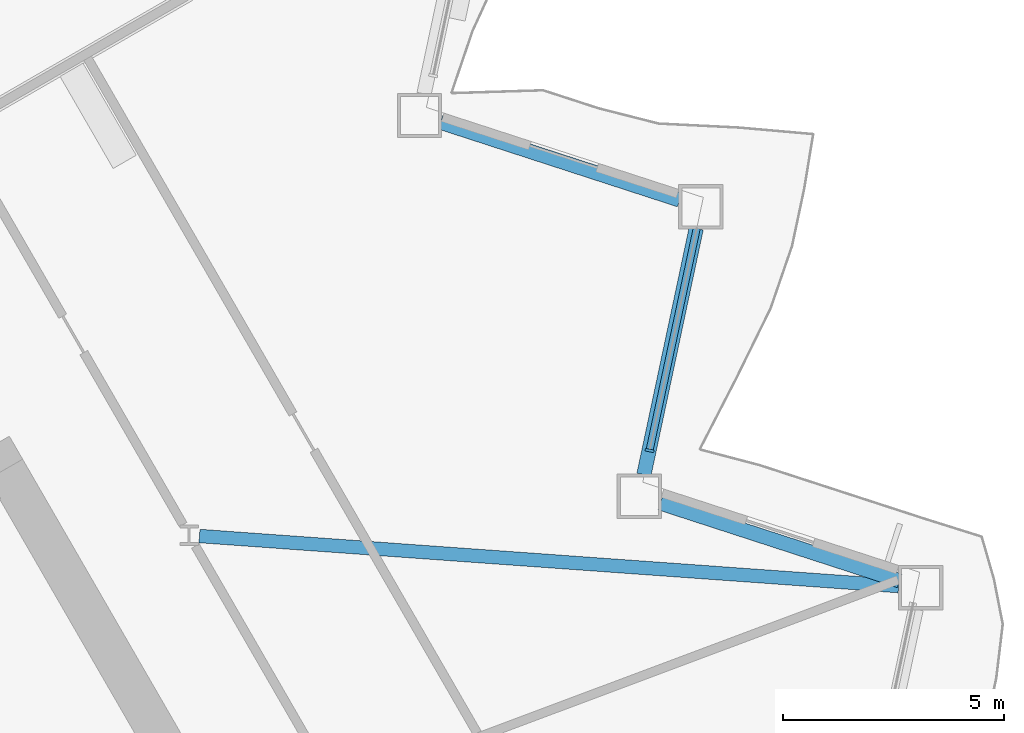
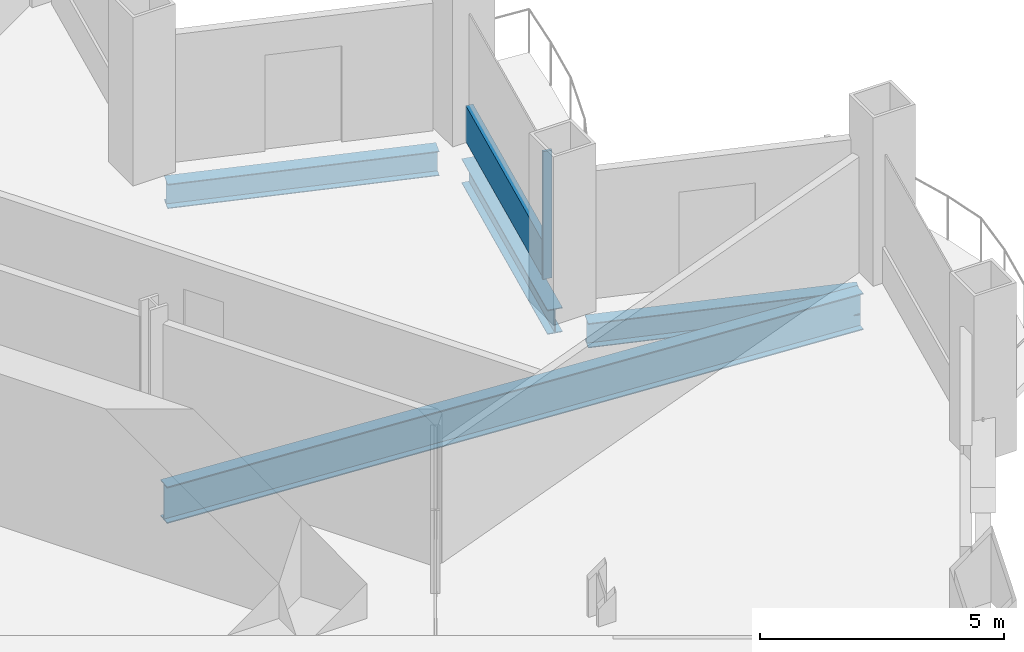
# One storey, part 5 of 20: 4 beams, 2 members, 1 element without a shape of its own.
"""IFC4 building model written with IfcOpenShell, lengths in metres."""

from ifc_helpers import new_model, si_unit, direction, frame, origin, origin_2d, place, context, subcontext, project, spatial, rectangle, i_section, extrude, material, layer, layer_set, material_profile, profile_set, type_object, element, aggregate, save


model = new_model("IFC4")

# Units and contexts
model_context = context("Model", 3, precision=1e-05, world=origin(), true_north=direction((0.0, 1.0)))
body_context = subcontext(model_context, "Body", "Model", "MODEL_VIEW")
ifc_project = project(units=[si_unit("LENGTHUNIT", "METRE"), si_unit("AREAUNIT", "SQUARE_METRE"), si_unit("VOLUMEUNIT", "CUBIC_METRE"), si_unit("PLANEANGLEUNIT", "RADIAN"), si_unit("MASSUNIT", "GRAM", prefix="KILO")], contexts=[model_context])

# Site, building, storey
site_placement = place(None, origin())
site = spatial("IfcSite", under=ifc_project, at=site_placement, CompositionType="ELEMENT")
building_placement = place(site_placement, origin())
building = spatial("IfcBuilding", under=site, at=building_placement, Name="Cormorant Prow Tower", CompositionType="ELEMENT")
storey_placement = place(building_placement, frame((0.0, 0.0, 59.39990234375)))
storey = spatial("IfcBuildingStorey", under=building, at=storey_placement, Name="L12", CompositionType="ELEMENT", Elevation=59.39990234375)

# Curtain wall, members
ifc_material_1 = material(Name="Aluminium 6063-T6", Category="aluminium")
ifc_layer = layer(ifc_material_1, 0.199951171875)
ifc_layer_set = layer_set([ifc_layer], Name="Aluminium 6063-T6")
curtain_wall_type = type_object("IfcCurtainWallType", Name="Office unitised curtain wall 200", PredefinedType="NOTDEFINED", material=ifc_layer_set)
curtain_wall_placement = place(storey_placement, origin())
curtain_wall = element("IfcCurtainWall", 1, at=curtain_wall_placement, inside=storey, type_object=curtain_wall_type, Name="Office curtain wall ENE02", PredefinedType="NOTDEFINED")
ifc_material_2 = material(Name="Aluminium 6063-T6", Category="aluminium")
ifc_material_profile_1 = material_profile(ifc_material_2, rectangle(XDim=0.199951171875, YDim=0.06005859375, at=origin_2d()), Name="Office mullion 60x200")
ifc_profile_set_1 = profile_set([ifc_material_profile_1], Name="Aluminium 6063-T6")
member_type_1 = type_object("IfcMemberType", Name="Office mullion 60x200", PredefinedType="MULLION", material=ifc_profile_set_1)
member_1_placement = place(storey_placement, frame((26.2646484375, -1.138916015625, 0.0), z_axis=(0.0, 0.0, 1.0), x_axis=(-0.978147613794, 0.207911629376, 0.0)))
member_1 = element("IfcMember", 2, at=member_1_placement, type_object=member_type_1, Name="Office mullion ENE02", PredefinedType="MULLION", context=body_context, shape_type="SweptSolid", body=[
    extrude(rectangle(XDim=0.199951171875, YDim=0.06005859375, at=origin_2d()), origin(), (0.0, 0.0, 1.0), 3.18896484375),
])
ifc_material_3 = material(Name="Terracotta", Category="masonry")
ifc_material_profile_2 = material_profile(ifc_material_3, rectangle(XDim=0.159912109375, YDim=0.89990234375, at=origin_2d()), Name="Office terracotta spandrel rail 160x900")
ifc_profile_set_2 = profile_set([ifc_material_profile_2], Name="Terracotta")
member_type_2 = type_object("IfcMemberType", Name="Office terracotta spandrel rail 160x900", PredefinedType="USERDEFINED", material=ifc_profile_set_2)
member_2_placement = place(storey_placement, frame((26.270751953125, -1.109619140625, 0.4501953125), z_axis=(0.207923880601, 0.978145009636, 0.0), x_axis=(-0.978145009636, 0.207923880601, 0.0)))
member_2 = element("IfcMember", 3, at=member_2_placement, type_object=member_type_2, Name="Office spandrel rail ENE02", ObjectType="TRANSOM", PredefinedType="USERDEFINED", context=body_context, shape_type="SweptSolid", body=[
    extrude(rectangle(XDim=0.159912109375, YDim=0.89990234375, at=origin_2d()), origin(), (0.0, 0.0, 1.0), 5.111328125),
])
aggregate(curtain_wall, [member_1, member_2])

# Beams
ifc_material_4 = material(Name="Structural steel ASTM A992 Gr 50", Category="steel")
ifc_material_profile_3 = material_profile(ifc_material_4, i_section(OverallWidth=0.3046875, OverallDepth=0.914794921875, WebThickness=0.0166015625, FlangeThickness=0.02587890625, at=origin_2d()), Name="W36x160")
ifc_profile_set_3 = profile_set([ifc_material_profile_3], Name="Structural steel ASTM A992 Gr 50")
beam_type_1 = type_object("IfcBeamType", Name="Radial floor beam W36x160", PredefinedType="BEAM", material=ifc_profile_set_3)
beam_1_placement = place(storey_placement, frame((16.099365234375, -3.0703125, -0.857177734375), z_axis=(0.997443412532, -0.071460750045, 0.0), x_axis=(0.071460750045, 0.997443412532, 0.0)))
element("IfcBeam", 4, at=beam_1_placement, inside=storey, type_object=beam_type_1, Name="Radial floor beam FB1 10 L12", PredefinedType="BEAM", context=body_context, shape_type="SweptSolid", body=[
    extrude(i_section(OverallWidth=0.3046875, OverallDepth=0.914794921875, WebThickness=0.0166015625, FlangeThickness=0.02587890625, at=origin_2d()), origin(), (0.0, 0.0, 1.0), 15.831787109375),
])
ifc_material_5 = material(Name="Structural steel ASTM A992 Gr 50", Category="steel")
ifc_material_profile_4 = material_profile(ifc_material_5, i_section(OverallWidth=0.32373046875, OverallDepth=0.611083984375, WebThickness=0.0126953125, FlangeThickness=0.01904296875, at=origin_2d()), Name="W24x104")
ifc_profile_set_4 = profile_set([ifc_material_profile_4], Name="Structural steel ASTM A992 Gr 50")
beam_type_2 = type_object("IfcBeamType", Name="Spandrel beam W24x104", PredefinedType="SPANDREL", material=ifc_profile_set_4)
beam_2_placement = place(storey_placement, frame((31.913818359375, -4.082763671875, -0.70556640625), z_axis=(-0.951049222751, 0.309039440696, 0.0), x_axis=(-0.309039440696, -0.951049222751, 0.0)))
element("IfcBeam", 5, at=beam_2_placement, inside=storey, type_object=beam_type_2, Name="Spandrel beam SB1 ENE01-ENE02 L12", PredefinedType="SPANDREL", context=body_context, shape_type="SweptSolid", body=[
    extrude(i_section(OverallWidth=0.32373046875, OverallDepth=0.611083984375, WebThickness=0.0126953125, FlangeThickness=0.01904296875, at=origin_2d()), origin(), (0.0, 0.0, 1.0), 5.682373046875),
])
beam_3_placement = place(storey_placement, frame((26.137939453125, -1.68310546875, -0.70556640625), z_axis=(0.207900376723, 0.97815000555, 0.0), x_axis=(-0.97815000555, 0.207900376723, 0.0)))
element("IfcBeam", 6, at=beam_3_placement, inside=storey, type_object=beam_type_2, Name="Spandrel beam SB1 ENE02-ENE03 L12", PredefinedType="SPANDREL", context=body_context, shape_type="SweptSolid", body=[
    extrude(i_section(OverallWidth=0.32373046875, OverallDepth=0.611083984375, WebThickness=0.0126953125, FlangeThickness=0.01904296875, at=origin_2d()), origin(), (0.0, 0.0, 1.0), 5.6826171875),
])
beam_4_placement = place(storey_placement, frame((26.94775390625, 4.518798828125, -0.70556640625), z_axis=(-0.951061849722, 0.309000579292, 0.0), x_axis=(-0.309000579292, -0.951061849722, 0.0)))
element("IfcBeam", 7, at=beam_4_placement, inside=storey, type_object=beam_type_2, Name="Spandrel beam SB1 ENE03-ENE04 L12", PredefinedType="SPANDREL", context=body_context, shape_type="SweptSolid", body=[
    extrude(i_section(OverallWidth=0.32373046875, OverallDepth=0.611083984375, WebThickness=0.0126953125, FlangeThickness=0.01904296875, at=origin_2d()), origin(), (0.0, 0.0, 1.0), 5.682373046875),
])

save(model, "model.ifc")
